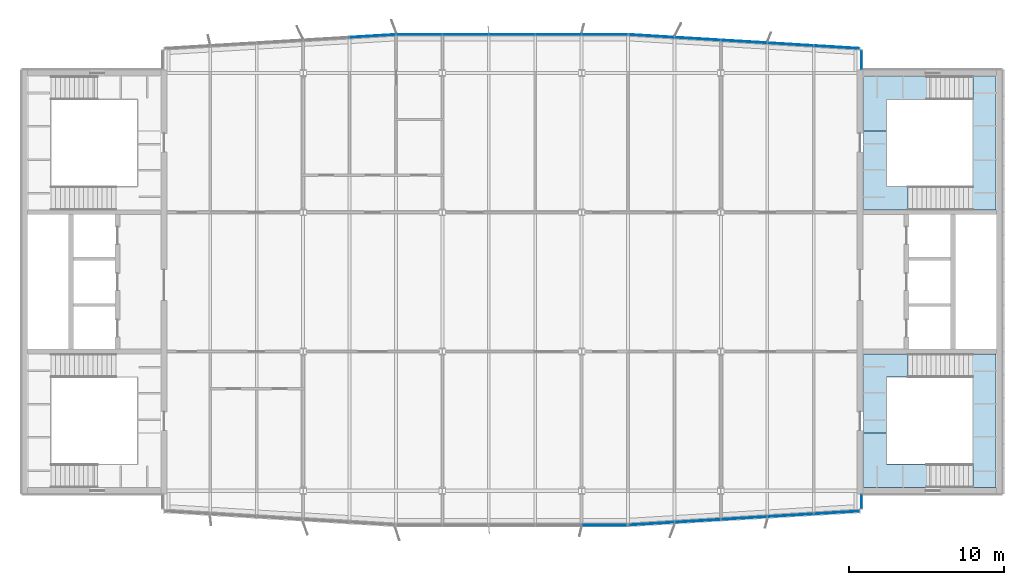
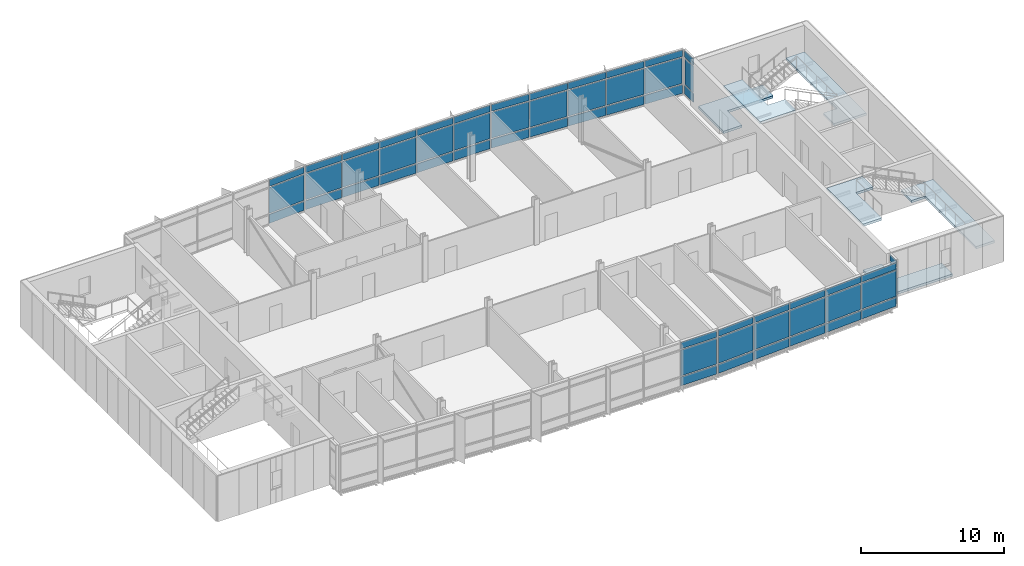
# One storey, part 10 of 17: 57 plates, 6 slabs, 9 elements without a shape of their own.
"""IFC4 building model written with IfcOpenShell, lengths in metres."""

from ifc_helpers import new_model, si_unit, direction, frame, origin, origin_2d, place, context, subcontext, project, spatial, polyline, rectangle, outline, extrude, material, layer, layer_set, type_object, element, aggregate, save


model = new_model("IFC4")

# Units and contexts
model_context = context("Model", 3, precision=1e-05, world=origin(), true_north=direction((0.0, 1.0)))
body_context = subcontext(model_context, "Body", "Model", "MODEL_VIEW")
ifc_project = project(units=[si_unit("LENGTHUNIT", "METRE"), si_unit("AREAUNIT", "SQUARE_METRE"), si_unit("VOLUMEUNIT", "CUBIC_METRE"), si_unit("PLANEANGLEUNIT", "RADIAN"), si_unit("MASSUNIT", "GRAM", prefix="KILO")], contexts=[model_context])

# Site, building, storey
site_placement = place(None, origin())
site = spatial("IfcSite", under=ifc_project, at=site_placement, CompositionType="ELEMENT")
building_placement = place(site_placement, origin())
building = spatial("IfcBuilding", under=site, at=building_placement, Name="Azimuth Sports and Learning Centre", CompositionType="ELEMENT")
storey_placement = place(building_placement, frame((0.0, 0.0, 40.199951171875)))
storey = spatial("IfcBuildingStorey", under=building, at=storey_placement, Name="L08", CompositionType="ELEMENT", Elevation=40.199951171875)

# Stair, slabs
ifc_material_1 = material(Name="Concrete C32/40", Category="concrete")
stair_type = type_object("IfcStairType", Name="Square-well stair core 3900 storey", PredefinedType="THREE_QUARTER_TURN_STAIR", material=ifc_material_1)
stair_1_placement = place(storey_placement, origin())
stair_1 = element("IfcStair", 1, at=stair_1_placement, inside=storey, type_object=stair_type, Name="Stair E1 L08-L09", PredefinedType="THREE_QUARTER_TURN_STAIR")
ifc_material_2 = material(Name="Concrete C32/40", Category="concrete")
ifc_layer_1 = layer(ifc_material_2, 0.199951171875)
ifc_layer_set_1 = layer_set([ifc_layer_1], Name="Concrete C32/40")
slab_type = type_object("IfcSlabType", Name="Concrete stair landing", PredefinedType="LANDING", material=ifc_layer_set_1)
slab_1_placement = place(storey_placement, frame((0.0, 0.0, -0.199951171875)))
slab_1 = element("IfcSlab", 2, at=slab_1_placement, type_object=slab_type, Name="Stair E1 L08 landing 1", PredefinedType="LANDING", context=body_context, shape_type="SweptSolid", body=[
    extrude(outline(polyline([(113.389892578125, 91.7099609375), (109.7099609375, 91.7099609375), (109.7099609375, 93.75), (108.2099609375, 93.75), (108.2099609375, 90.2099609375), (113.389892578125, 90.2099609375), (113.389892578125, 91.7099609375)])), origin(), (0.0, 0.0, 1.0), 0.199951171875),
])
slab_2_placement = place(storey_placement, frame((0.0, 0.0, 1.449951171875)))
slab_2 = element("IfcSlab", 3, at=slab_2_placement, type_object=slab_type, Name="Stair E1 L08 landing 2", PredefinedType="LANDING", context=body_context, shape_type="SweptSolid", body=[
    extrude(outline(polyline([(115.2900390625, 91.7099609375), (115.289306640625, 91.7099609375), (115.289306640625, 90.2099609375), (116.7900390625, 90.2099609375), (116.7900390625, 98.840087890625), (114.18994140625, 98.840087890625), (114.18994140625, 97.340087890625), (115.2900390625, 97.340087890625), (115.2900390625, 91.7099609375)])), origin(), (0.0, 0.0, 1.0), 0.2001953125),
])
slab_3_placement = place(storey_placement, frame((0.0, 0.0, 3.699951171875)))
slab_3 = element("IfcSlab", 4, at=slab_3_placement, type_object=slab_type, Name="Stair E1 L08 landing 3", PredefinedType="LANDING", context=body_context, shape_type="SweptSolid", body=[
    extrude(outline(polyline([(109.7099609375, 97.340087890625), (111.0908203125, 97.340087890625), (111.0908203125, 98.840087890625), (108.2099609375, 98.840087890625), (108.2099609375, 93.75), (109.7099609375, 93.75), (109.7099609375, 97.340087890625)])), origin(), (0.0, 0.0, 1.0), 0.2001953125),
])
aggregate(stair_1, [slab_1, slab_2, slab_3])

stair_2_placement = place(storey_placement, origin())
stair_2 = element("IfcStair", 5, at=stair_2_placement, inside=storey, type_object=stair_type, Name="Stair E2 L08-L09", PredefinedType="THREE_QUARTER_TURN_STAIR")
slab_4_placement = place(storey_placement, frame((0.0, 0.0, -0.199951171875)))
slab_4 = element("IfcSlab", 6, at=slab_4_placement, type_object=slab_type, Name="Stair E2 L08 landing 1", PredefinedType="LANDING", context=body_context, shape_type="SweptSolid", body=[
    extrude(outline(polyline([(108.2099609375, 116.7900390625), (108.2099609375, 113.25), (109.7099609375, 113.25), (109.7099609375, 115.2900390625), (113.389892578125, 115.2900390625), (113.389892578125, 116.7900390625), (108.2099609375, 116.7900390625)])), origin(), (0.0, 0.0, 1.0), 0.199951171875),
])
slab_5_placement = place(storey_placement, frame((0.0, 0.0, 1.449951171875)))
slab_5 = element("IfcSlab", 7, at=slab_5_placement, type_object=slab_type, Name="Stair E2 L08 landing 2", PredefinedType="LANDING", context=body_context, shape_type="SweptSolid", body=[
    extrude(outline(polyline([(115.2900390625, 115.2900390625), (115.2900390625, 109.659912109375), (114.18994140625, 109.659912109375), (114.18994140625, 108.159912109375), (116.7900390625, 108.159912109375), (116.7900390625, 116.7900390625), (115.289306640625, 116.7900390625), (115.289306640625, 115.2900390625), (115.2900390625, 115.2900390625)])), origin(), (0.0, 0.0, 1.0), 0.2001953125),
])
slab_6_placement = place(storey_placement, frame((0.0, 0.0, 3.699951171875)))
slab_6 = element("IfcSlab", 8, at=slab_6_placement, type_object=slab_type, Name="Stair E2 L08 landing 3", PredefinedType="LANDING", context=body_context, shape_type="SweptSolid", body=[
    extrude(outline(polyline([(109.7099609375, 109.659912109375), (109.7099609375, 113.25), (108.2099609375, 113.25), (108.2099609375, 108.159912109375), (111.0908203125, 108.159912109375), (111.0908203125, 109.659912109375), (109.7099609375, 109.659912109375)])), origin(), (0.0, 0.0, 1.0), 0.2001953125),
])
aggregate(stair_2, [slab_4, slab_5, slab_6])

# Curtain wall, plates
ifc_material_3 = material(Name="Aluminium and glass", Category="aluminium")
curtain_wall_type_1 = type_object("IfcCurtainWallType", Name="Curtain wall tower south 240", PredefinedType="NOTDEFINED", material=ifc_material_3)
curtain_wall_1_placement = place(storey_placement, origin())
curtain_wall_1 = element("IfcCurtainWall", 9, at=curtain_wall_1_placement, inside=storey, type_object=curtain_wall_type_1, Name="Curtain wall CW08-003", PredefinedType="NOTDEFINED")
ifc_material_4 = material(Name="Insulated aluminium panel", Category="aluminium")
ifc_layer_2 = layer(ifc_material_4, 0.050048828125)
ifc_layer_set_2 = layer_set([ifc_layer_2], Name="Insulated aluminium panel")
plate_type_1 = type_object("IfcPlateType", Name="Spandrel panel 50 mm", PredefinedType="CURTAIN_PANEL", material=ifc_layer_set_2)
plate_1_placement = place(storey_placement, frame((91.482421875, 87.780029296875, 0.10009765625), z_axis=(0.0, 0.0, 1.0), x_axis=(1.0, 0.0, 0.0)))
plate_1 = element("IfcPlate", 10, at=plate_1_placement, type_object=plate_type_1, Name="CW08-003 panel 5.1", PredefinedType="CURTAIN_PANEL", context=body_context, shape_type="SweptSolid", body=[
    extrude(rectangle(XDim=2.89501953125, YDim=0.050048828125, at=origin_2d()), origin(), (0.0, 0.0, 1.0), 0.75),
])
plate_2_placement = place(storey_placement, frame((91.482421875, 87.780029296875, 3.25), z_axis=(0.0, 0.0, 1.0), x_axis=(1.0, 0.0, 0.0)))
plate_2 = element("IfcPlate", 11, at=plate_2_placement, type_object=plate_type_1, Name="CW08-003 panel 5.3", PredefinedType="CURTAIN_PANEL", context=body_context, shape_type="SweptSolid", body=[
    extrude(rectangle(XDim=2.89501953125, YDim=0.050048828125, at=origin_2d()), origin(), (0.0, 0.0, 1.0), 0.550048828125),
])

curtain_wall_2_placement = place(storey_placement, origin())
curtain_wall_2 = element("IfcCurtainWall", 12, at=curtain_wall_2_placement, inside=storey, type_object=curtain_wall_type_1, Name="Curtain wall CW08-004", PredefinedType="NOTDEFINED")
plate_3_placement = place(storey_placement, frame((94.52099609375, 87.87109375, 0.10009765625), z_axis=(0.0, 0.0, 1.0), x_axis=(0.998204863401, 0.059891991812, 0.0)))
plate_3 = element("IfcPlate", 13, at=plate_3_placement, type_object=plate_type_1, Name="CW08-004 panel 1.1", PredefinedType="CURTAIN_PANEL", context=body_context, shape_type="SweptSolid", body=[
    extrude(rectangle(XDim=2.90771484375, YDim=0.050048828125, at=origin_2d()), origin(), (0.0, 0.0, 1.0), 0.75),
])
plate_4_placement = place(storey_placement, frame((94.52099609375, 87.87109375, 3.25), z_axis=(0.0, 0.0, 1.0), x_axis=(0.998204863401, 0.059891991812, 0.0)))
plate_4 = element("IfcPlate", 14, at=plate_4_placement, type_object=plate_type_1, Name="CW08-004 panel 1.3", PredefinedType="CURTAIN_PANEL", context=body_context, shape_type="SweptSolid", body=[
    extrude(rectangle(XDim=2.90771484375, YDim=0.050048828125, at=origin_2d()), origin(), (0.0, 0.0, 1.0), 0.550048828125),
])
plate_5_placement = place(storey_placement, frame((97.507080078125, 88.05029296875, 0.10009765625), z_axis=(0.0, 0.0, 1.0), x_axis=(0.998204863401, 0.059891991812, 0.0)))
plate_5 = element("IfcPlate", 15, at=plate_5_placement, type_object=plate_type_1, Name="CW08-004 panel 2.1", PredefinedType="CURTAIN_PANEL", context=body_context, shape_type="SweptSolid", body=[
    extrude(rectangle(XDim=2.935302734375, YDim=0.050048828125, at=origin_2d()), origin(), (0.0, 0.0, 1.0), 0.75),
])
plate_6_placement = place(storey_placement, frame((97.507080078125, 88.05029296875, 3.25), z_axis=(0.0, 0.0, 1.0), x_axis=(0.998204863401, 0.059891991812, 0.0)))
plate_6 = element("IfcPlate", 16, at=plate_6_placement, type_object=plate_type_1, Name="CW08-004 panel 2.3", PredefinedType="CURTAIN_PANEL", context=body_context, shape_type="SweptSolid", body=[
    extrude(rectangle(XDim=2.935302734375, YDim=0.050048828125, at=origin_2d()), origin(), (0.0, 0.0, 1.0), 0.550048828125),
])
plate_7_placement = place(storey_placement, frame((100.507080078125, 88.230224609375, 0.10009765625), z_axis=(0.0, 0.0, 1.0), x_axis=(0.998204863401, 0.059891991812, 0.0)))
plate_7 = element("IfcPlate", 17, at=plate_7_placement, type_object=plate_type_1, Name="CW08-004 panel 3.1", PredefinedType="CURTAIN_PANEL", context=body_context, shape_type="SweptSolid", body=[
    extrude(rectangle(XDim=2.935302734375, YDim=0.050048828125, at=origin_2d()), origin(), (0.0, 0.0, 1.0), 0.75),
])
plate_8_placement = place(storey_placement, frame((100.507080078125, 88.230224609375, 3.25), z_axis=(0.0, 0.0, 1.0), x_axis=(0.998204863401, 0.059891991812, 0.0)))
plate_8 = element("IfcPlate", 18, at=plate_8_placement, type_object=plate_type_1, Name="CW08-004 panel 3.3", PredefinedType="CURTAIN_PANEL", context=body_context, shape_type="SweptSolid", body=[
    extrude(rectangle(XDim=2.935302734375, YDim=0.050048828125, at=origin_2d()), origin(), (0.0, 0.0, 1.0), 0.550048828125),
])
plate_9_placement = place(storey_placement, frame((103.507080078125, 88.41015625, 0.10009765625), z_axis=(0.0, 0.0, 1.0), x_axis=(0.998204863401, 0.059891991812, 0.0)))
plate_9 = element("IfcPlate", 19, at=plate_9_placement, type_object=plate_type_1, Name="CW08-004 panel 4.1", PredefinedType="CURTAIN_PANEL", context=body_context, shape_type="SweptSolid", body=[
    extrude(rectangle(XDim=2.935302734375, YDim=0.050048828125, at=origin_2d()), origin(), (0.0, 0.0, 1.0), 0.75),
])
plate_10_placement = place(storey_placement, frame((103.507080078125, 88.41015625, 3.25), z_axis=(0.0, 0.0, 1.0), x_axis=(0.998204863401, 0.059891991812, 0.0)))
plate_10 = element("IfcPlate", 20, at=plate_10_placement, type_object=plate_type_1, Name="CW08-004 panel 4.3", PredefinedType="CURTAIN_PANEL", context=body_context, shape_type="SweptSolid", body=[
    extrude(rectangle(XDim=2.935302734375, YDim=0.050048828125, at=origin_2d()), origin(), (0.0, 0.0, 1.0), 0.550048828125),
])
plate_11_placement = place(storey_placement, frame((106.48974609375, 88.589111328125, 0.10009765625), z_axis=(0.0, 0.0, 1.0), x_axis=(0.998204863401, 0.059891991812, 0.0)))
plate_11 = element("IfcPlate", 21, at=plate_11_placement, type_object=plate_type_1, Name="CW08-004 panel 5.1", PredefinedType="CURTAIN_PANEL", context=body_context, shape_type="SweptSolid", body=[
    extrude(rectangle(XDim=2.900390625, YDim=0.050048828125, at=origin_2d()), origin(), (0.0, 0.0, 1.0), 0.75),
])
plate_12_placement = place(storey_placement, frame((106.48974609375, 88.589111328125, 3.25), z_axis=(0.0, 0.0, 1.0), x_axis=(0.998204863401, 0.059891991812, 0.0)))
plate_12 = element("IfcPlate", 22, at=plate_12_placement, type_object=plate_type_1, Name="CW08-004 panel 5.3", PredefinedType="CURTAIN_PANEL", context=body_context, shape_type="SweptSolid", body=[
    extrude(rectangle(XDim=2.900390625, YDim=0.050048828125, at=origin_2d()), origin(), (0.0, 0.0, 1.0), 0.550048828125),
])

ifc_material_5 = material(Name="Aluminium and glass", Category="aluminium")
curtain_wall_type_2 = type_object("IfcCurtainWallType", Name="Curtain wall tower return 180", PredefinedType="NOTDEFINED", material=ifc_material_5)
curtain_wall_3_placement = place(storey_placement, origin())
curtain_wall_3 = element("IfcCurtainWall", 23, at=curtain_wall_3_placement, inside=storey, type_object=curtain_wall_type_2, Name="Curtain wall CW08-005", PredefinedType="NOTDEFINED")
plate_13_placement = place(storey_placement, frame((108.090087890625, 89.300048828125, 0.10009765625), z_axis=(0.0, 0.0, 1.0), x_axis=(0.0, 1.0, 0.0)))
plate_13 = element("IfcPlate", 24, at=plate_13_placement, type_object=plate_type_1, Name="CW08-005 panel 1.1", PredefinedType="CURTAIN_PANEL", context=body_context, shape_type="SweptSolid", body=[
    extrude(rectangle(XDim=0.8798828125, YDim=0.050048828125, at=origin_2d()), origin(), (0.0, 0.0, 1.0), 0.75),
])
plate_14_placement = place(storey_placement, frame((108.090087890625, 89.300048828125, 3.25), z_axis=(0.0, 0.0, 1.0), x_axis=(0.0, 1.0, 0.0)))
plate_14 = element("IfcPlate", 25, at=plate_14_placement, type_object=plate_type_1, Name="CW08-005 panel 1.3", PredefinedType="CURTAIN_PANEL", context=body_context, shape_type="SweptSolid", body=[
    extrude(rectangle(XDim=0.8798828125, YDim=0.050048828125, at=origin_2d()), origin(), (0.0, 0.0, 1.0), 0.550048828125),
])

curtain_wall_4_placement = place(storey_placement, origin())
curtain_wall_4 = element("IfcCurtainWall", 26, at=curtain_wall_4_placement, inside=storey, type_object=curtain_wall_type_2, Name="Curtain wall CW08-006", PredefinedType="NOTDEFINED")
plate_15_placement = place(storey_placement, frame((108.090087890625, 117.85009765625, 0.10009765625), z_axis=(0.0, 0.0, 1.0), x_axis=(0.0, 1.0, 0.0)))
plate_15 = element("IfcPlate", 27, at=plate_15_placement, type_object=plate_type_1, Name="CW08-006 panel 1.1", PredefinedType="CURTAIN_PANEL", context=body_context, shape_type="SweptSolid", body=[
    extrude(rectangle(XDim=1.179931640625, YDim=0.050048828125, at=origin_2d()), origin(), (0.0, 0.0, 1.0), 0.75),
])
plate_16_placement = place(storey_placement, frame((108.090087890625, 117.85009765625, 3.25), z_axis=(0.0, 0.0, 1.0), x_axis=(0.0, 1.0, 0.0)))
plate_16 = element("IfcPlate", 28, at=plate_16_placement, type_object=plate_type_1, Name="CW08-006 panel 1.3", PredefinedType="CURTAIN_PANEL", context=body_context, shape_type="SweptSolid", body=[
    extrude(rectangle(XDim=1.179931640625, YDim=0.050048828125, at=origin_2d()), origin(), (0.0, 0.0, 1.0), 0.550048828125),
])

ifc_material_6 = material(Name="Aluminium and glass", Category="aluminium")
curtain_wall_type_3 = type_object("IfcCurtainWallType", Name="Curtain wall tower north 180", PredefinedType="NOTDEFINED", material=ifc_material_6)
curtain_wall_5_placement = place(storey_placement, origin())
curtain_wall_5 = element("IfcCurtainWall", 29, at=curtain_wall_5_placement, inside=storey, type_object=curtain_wall_type_3, Name="Curtain wall CW08-007", PredefinedType="NOTDEFINED")
plate_17_placement = place(storey_placement, frame((106.490478515625, 118.6806640625, 0.10009765625), z_axis=(0.0, 0.0, 1.0), x_axis=(-0.998204863401, 0.059891991812, 0.0)))
plate_17 = element("IfcPlate", 30, at=plate_17_placement, type_object=plate_type_1, Name="CW08-007 panel 1.1", PredefinedType="CURTAIN_PANEL", context=body_context, shape_type="SweptSolid", body=[
    extrude(rectangle(XDim=2.915283203125, YDim=0.050048828125, at=origin_2d()), origin(), (0.0, 0.0, 1.0), 0.75),
])
plate_18_placement = place(storey_placement, frame((106.490478515625, 118.6806640625, 3.25), z_axis=(0.0, 0.0, 1.0), x_axis=(-0.998204863401, 0.059891991812, 0.0)))
plate_18 = element("IfcPlate", 31, at=plate_18_placement, type_object=plate_type_1, Name="CW08-007 panel 1.3", PredefinedType="CURTAIN_PANEL", context=body_context, shape_type="SweptSolid", body=[
    extrude(rectangle(XDim=2.915283203125, YDim=0.050048828125, at=origin_2d()), origin(), (0.0, 0.0, 1.0), 0.550048828125),
])
plate_19_placement = place(storey_placement, frame((103.50537109375, 118.85986328125, 0.10009765625), z_axis=(0.0, 0.0, 1.0), x_axis=(-0.998204863401, 0.059891991812, 0.0)))
plate_19 = element("IfcPlate", 32, at=plate_19_placement, type_object=plate_type_1, Name="CW08-007 panel 2.1", PredefinedType="CURTAIN_PANEL", context=body_context, shape_type="SweptSolid", body=[
    extrude(rectangle(XDim=2.9453125, YDim=0.050048828125, at=origin_2d()), origin(), (0.0, 0.0, 1.0), 0.75),
])
plate_20_placement = place(storey_placement, frame((103.50537109375, 118.85986328125, 3.25), z_axis=(0.0, 0.0, 1.0), x_axis=(-0.998204863401, 0.059891991812, 0.0)))
plate_20 = element("IfcPlate", 33, at=plate_20_placement, type_object=plate_type_1, Name="CW08-007 panel 2.3", PredefinedType="CURTAIN_PANEL", context=body_context, shape_type="SweptSolid", body=[
    extrude(rectangle(XDim=2.9453125, YDim=0.050048828125, at=origin_2d()), origin(), (0.0, 0.0, 1.0), 0.550048828125),
])
plate_21_placement = place(storey_placement, frame((100.50537109375, 119.039794921875, 0.10009765625), z_axis=(0.0, 0.0, 1.0), x_axis=(-0.998204863401, 0.059891991812, 0.0)))
plate_21 = element("IfcPlate", 34, at=plate_21_placement, type_object=plate_type_1, Name="CW08-007 panel 3.1", PredefinedType="CURTAIN_PANEL", context=body_context, shape_type="SweptSolid", body=[
    extrude(rectangle(XDim=2.9453125, YDim=0.050048828125, at=origin_2d()), origin(), (0.0, 0.0, 1.0), 0.75),
])
plate_22_placement = place(storey_placement, frame((100.50537109375, 119.039794921875, 3.25), z_axis=(0.0, 0.0, 1.0), x_axis=(-0.998204863401, 0.059891991812, 0.0)))
plate_22 = element("IfcPlate", 35, at=plate_22_placement, type_object=plate_type_1, Name="CW08-007 panel 3.3", PredefinedType="CURTAIN_PANEL", context=body_context, shape_type="SweptSolid", body=[
    extrude(rectangle(XDim=2.9453125, YDim=0.050048828125, at=origin_2d()), origin(), (0.0, 0.0, 1.0), 0.550048828125),
])
plate_23_placement = place(storey_placement, frame((97.50537109375, 119.2197265625, 0.10009765625), z_axis=(0.0, 0.0, 1.0), x_axis=(-0.998204863401, 0.059891991812, 0.0)))
plate_23 = element("IfcPlate", 36, at=plate_23_placement, type_object=plate_type_1, Name="CW08-007 panel 4.1", PredefinedType="CURTAIN_PANEL", context=body_context, shape_type="SweptSolid", body=[
    extrude(rectangle(XDim=2.9453125, YDim=0.050048828125, at=origin_2d()), origin(), (0.0, 0.0, 1.0), 0.75),
])
plate_24_placement = place(storey_placement, frame((97.50537109375, 119.2197265625, 3.25), z_axis=(0.0, 0.0, 1.0), x_axis=(-0.998204863401, 0.059891991812, 0.0)))
plate_24 = element("IfcPlate", 37, at=plate_24_placement, type_object=plate_type_1, Name="CW08-007 panel 4.3", PredefinedType="CURTAIN_PANEL", context=body_context, shape_type="SweptSolid", body=[
    extrude(rectangle(XDim=2.9453125, YDim=0.050048828125, at=origin_2d()), origin(), (0.0, 0.0, 1.0), 0.550048828125),
])
plate_25_placement = place(storey_placement, frame((94.520263671875, 119.39892578125, 0.10009765625), z_axis=(0.0, 0.0, 1.0), x_axis=(-0.998204863401, 0.059891991812, 0.0)))
plate_25 = element("IfcPlate", 38, at=plate_25_placement, type_object=plate_type_1, Name="CW08-007 panel 5.1", PredefinedType="CURTAIN_PANEL", context=body_context, shape_type="SweptSolid", body=[
    extrude(rectangle(XDim=2.915283203125, YDim=0.050048828125, at=origin_2d()), origin(), (0.0, 0.0, 1.0), 0.75),
])
plate_26_placement = place(storey_placement, frame((94.520263671875, 119.39892578125, 3.25), z_axis=(0.0, 0.0, 1.0), x_axis=(-0.998204863401, 0.059891991812, 0.0)))
plate_26 = element("IfcPlate", 39, at=plate_26_placement, type_object=plate_type_1, Name="CW08-007 panel 5.3", PredefinedType="CURTAIN_PANEL", context=body_context, shape_type="SweptSolid", body=[
    extrude(rectangle(XDim=2.915283203125, YDim=0.050048828125, at=origin_2d()), origin(), (0.0, 0.0, 1.0), 0.550048828125),
])

curtain_wall_6_placement = place(storey_placement, origin())
curtain_wall_6 = element("IfcCurtainWall", 40, at=curtain_wall_6_placement, inside=storey, type_object=curtain_wall_type_3, Name="Curtain wall CW08-008", PredefinedType="NOTDEFINED")
plate_27_placement = place(storey_placement, frame((91.48779296875, 119.489990234375, 0.10009765625), z_axis=(0.0, 0.0, 1.0), x_axis=(-1.0, 0.0, 0.0)))
plate_27 = element("IfcPlate", 41, at=plate_27_placement, type_object=plate_type_1, Name="CW08-008 panel 1.1", PredefinedType="CURTAIN_PANEL", context=body_context, shape_type="SweptSolid", body=[
    extrude(rectangle(XDim=2.915283203125, YDim=0.050048828125, at=origin_2d()), origin(), (0.0, 0.0, 1.0), 0.75),
])
plate_28_placement = place(storey_placement, frame((91.48779296875, 119.489990234375, 3.25), z_axis=(0.0, 0.0, 1.0), x_axis=(-1.0, 0.0, 0.0)))
plate_28 = element("IfcPlate", 42, at=plate_28_placement, type_object=plate_type_1, Name="CW08-008 panel 1.3", PredefinedType="CURTAIN_PANEL", context=body_context, shape_type="SweptSolid", body=[
    extrude(rectangle(XDim=2.915283203125, YDim=0.050048828125, at=origin_2d()), origin(), (0.0, 0.0, 1.0), 0.550048828125),
])
plate_29_placement = place(storey_placement, frame((88.5, 119.489990234375, 0.10009765625), z_axis=(0.0, 0.0, 1.0), x_axis=(-1.0, 0.0, 0.0)))
plate_29 = element("IfcPlate", 43, at=plate_29_placement, type_object=plate_type_1, Name="CW08-008 panel 2.1", PredefinedType="CURTAIN_PANEL", context=body_context, shape_type="SweptSolid", body=[
    extrude(rectangle(XDim=2.93994140625, YDim=0.050048828125, at=origin_2d()), origin(), (0.0, 0.0, 1.0), 0.75),
])
plate_30_placement = place(storey_placement, frame((88.5, 119.489990234375, 3.25), z_axis=(0.0, 0.0, 1.0), x_axis=(-1.0, 0.0, 0.0)))
plate_30 = element("IfcPlate", 44, at=plate_30_placement, type_object=plate_type_1, Name="CW08-008 panel 2.3", PredefinedType="CURTAIN_PANEL", context=body_context, shape_type="SweptSolid", body=[
    extrude(rectangle(XDim=2.93994140625, YDim=0.050048828125, at=origin_2d()), origin(), (0.0, 0.0, 1.0), 0.550048828125),
])
plate_31_placement = place(storey_placement, frame((85.5, 119.489990234375, 0.10009765625), z_axis=(0.0, 0.0, 1.0), x_axis=(-1.0, 0.0, 0.0)))
plate_31 = element("IfcPlate", 45, at=plate_31_placement, type_object=plate_type_1, Name="CW08-008 panel 3.1", PredefinedType="CURTAIN_PANEL", context=body_context, shape_type="SweptSolid", body=[
    extrude(rectangle(XDim=2.93994140625, YDim=0.050048828125, at=origin_2d()), origin(), (0.0, 0.0, 1.0), 0.75),
])
plate_32_placement = place(storey_placement, frame((85.5, 119.489990234375, 3.25), z_axis=(0.0, 0.0, 1.0), x_axis=(-1.0, 0.0, 0.0)))
plate_32 = element("IfcPlate", 46, at=plate_32_placement, type_object=plate_type_1, Name="CW08-008 panel 3.3", PredefinedType="CURTAIN_PANEL", context=body_context, shape_type="SweptSolid", body=[
    extrude(rectangle(XDim=2.93994140625, YDim=0.050048828125, at=origin_2d()), origin(), (0.0, 0.0, 1.0), 0.550048828125),
])
plate_33_placement = place(storey_placement, frame((82.5, 119.489990234375, 0.10009765625), z_axis=(0.0, 0.0, 1.0), x_axis=(-1.0, 0.0, 0.0)))
plate_33 = element("IfcPlate", 47, at=plate_33_placement, type_object=plate_type_1, Name="CW08-008 panel 4.1", PredefinedType="CURTAIN_PANEL", context=body_context, shape_type="SweptSolid", body=[
    extrude(rectangle(XDim=2.93994140625, YDim=0.050048828125, at=origin_2d()), origin(), (0.0, 0.0, 1.0), 0.75),
])
plate_34_placement = place(storey_placement, frame((82.5, 119.489990234375, 3.25), z_axis=(0.0, 0.0, 1.0), x_axis=(-1.0, 0.0, 0.0)))
plate_34 = element("IfcPlate", 48, at=plate_34_placement, type_object=plate_type_1, Name="CW08-008 panel 4.3", PredefinedType="CURTAIN_PANEL", context=body_context, shape_type="SweptSolid", body=[
    extrude(rectangle(XDim=2.93994140625, YDim=0.050048828125, at=origin_2d()), origin(), (0.0, 0.0, 1.0), 0.550048828125),
])
plate_35_placement = place(storey_placement, frame((79.514892578125, 119.489990234375, 0.10009765625), z_axis=(0.0, 0.0, 1.0), x_axis=(-1.0, 0.0, 0.0)))
plate_35 = element("IfcPlate", 49, at=plate_35_placement, type_object=plate_type_1, Name="CW08-008 panel 5.1", PredefinedType="CURTAIN_PANEL", context=body_context, shape_type="SweptSolid", body=[
    extrude(rectangle(XDim=2.909912109375, YDim=0.050048828125, at=origin_2d()), origin(), (0.0, 0.0, 1.0), 0.75),
])
plate_36_placement = place(storey_placement, frame((79.514892578125, 119.489990234375, 3.25), z_axis=(0.0, 0.0, 1.0), x_axis=(-1.0, 0.0, 0.0)))
plate_36 = element("IfcPlate", 50, at=plate_36_placement, type_object=plate_type_1, Name="CW08-008 panel 5.3", PredefinedType="CURTAIN_PANEL", context=body_context, shape_type="SweptSolid", body=[
    extrude(rectangle(XDim=2.909912109375, YDim=0.050048828125, at=origin_2d()), origin(), (0.0, 0.0, 1.0), 0.550048828125),
])

curtain_wall_7_placement = place(storey_placement, origin())
curtain_wall_7 = element("IfcCurtainWall", 51, at=curtain_wall_7_placement, inside=storey, type_object=curtain_wall_type_3, Name="Curtain wall CW08-009", PredefinedType="NOTDEFINED")
plate_37_placement = place(storey_placement, frame((76.482421875, 119.399169921875, 0.10009765625), z_axis=(0.0, 0.0, 1.0), x_axis=(-0.998204863401, -0.059891991812, 0.0)))
plate_37 = element("IfcPlate", 52, at=plate_37_placement, type_object=plate_type_1, Name="CW08-009 panel 1.1", PredefinedType="CURTAIN_PANEL", context=body_context, shape_type="SweptSolid", body=[
    extrude(rectangle(XDim=2.9208984375, YDim=0.050048828125, at=origin_2d()), origin(), (0.0, 0.0, 1.0), 0.75),
])
plate_38_placement = place(storey_placement, frame((76.482421875, 119.399169921875, 3.25), z_axis=(0.0, 0.0, 1.0), x_axis=(-0.998204863401, -0.059891991812, 0.0)))
plate_38 = element("IfcPlate", 53, at=plate_38_placement, type_object=plate_type_1, Name="CW08-009 panel 1.3", PredefinedType="CURTAIN_PANEL", context=body_context, shape_type="SweptSolid", body=[
    extrude(rectangle(XDim=2.9208984375, YDim=0.050048828125, at=origin_2d()), origin(), (0.0, 0.0, 1.0), 0.550048828125),
])

# Plate
ifc_material_7 = material(Name="Glass", Category="glass")
ifc_layer_3 = layer(ifc_material_7, 0.031982421875)
ifc_layer_set_3 = layer_set([ifc_layer_3], Name="Glass")
plate_type_2 = type_object("IfcPlateType", Name="Vision glass 32 mm", PredefinedType="CURTAIN_PANEL", material=ifc_layer_set_3)
plate_39_placement = place(storey_placement, frame((91.482421875, 87.780029296875, 0.9501953125), z_axis=(0.0, 0.0, 1.0), x_axis=(1.0, 0.0, 0.0)))
plate_39 = element("IfcPlate", 54, at=plate_39_placement, type_object=plate_type_2, Name="CW08-003 panel 5.2", PredefinedType="CURTAIN_PANEL", context=body_context, shape_type="SweptSolid", body=[
    extrude(rectangle(XDim=2.89501953125, YDim=0.031982421875, at=origin_2d()), origin(), (0.0, 0.0, 1.0), 2.199951171875),
])

aggregate(curtain_wall_1, [plate_1, plate_39, plate_2])

plate_40_placement = place(storey_placement, frame((94.52099609375, 87.87109375, 0.9501953125), z_axis=(0.0, 0.0, 1.0), x_axis=(0.998204863401, 0.059891991812, 0.0)))
plate_40 = element("IfcPlate", 55, at=plate_40_placement, type_object=plate_type_2, Name="CW08-004 panel 1.2", PredefinedType="CURTAIN_PANEL", context=body_context, shape_type="SweptSolid", body=[
    extrude(rectangle(XDim=2.90771484375, YDim=0.031982421875, at=origin_2d()), origin(), (0.0, 0.0, 1.0), 2.199951171875),
])

plate_41_placement = place(storey_placement, frame((97.507080078125, 88.05029296875, 0.9501953125), z_axis=(0.0, 0.0, 1.0), x_axis=(0.998204863401, 0.059891991812, 0.0)))
plate_41 = element("IfcPlate", 56, at=plate_41_placement, type_object=plate_type_2, Name="CW08-004 panel 2.2", PredefinedType="CURTAIN_PANEL", context=body_context, shape_type="SweptSolid", body=[
    extrude(rectangle(XDim=2.935302734375, YDim=0.031982421875, at=origin_2d()), origin(), (0.0, 0.0, 1.0), 2.199951171875),
])

plate_42_placement = place(storey_placement, frame((100.507080078125, 88.230224609375, 0.9501953125), z_axis=(0.0, 0.0, 1.0), x_axis=(0.998204863401, 0.059891991812, 0.0)))
plate_42 = element("IfcPlate", 57, at=plate_42_placement, type_object=plate_type_2, Name="CW08-004 panel 3.2", PredefinedType="CURTAIN_PANEL", context=body_context, shape_type="SweptSolid", body=[
    extrude(rectangle(XDim=2.935302734375, YDim=0.031982421875, at=origin_2d()), origin(), (0.0, 0.0, 1.0), 2.199951171875),
])

plate_43_placement = place(storey_placement, frame((103.507080078125, 88.41015625, 0.9501953125), z_axis=(0.0, 0.0, 1.0), x_axis=(0.998204863401, 0.059891991812, 0.0)))
plate_43 = element("IfcPlate", 58, at=plate_43_placement, type_object=plate_type_2, Name="CW08-004 panel 4.2", PredefinedType="CURTAIN_PANEL", context=body_context, shape_type="SweptSolid", body=[
    extrude(rectangle(XDim=2.935302734375, YDim=0.031982421875, at=origin_2d()), origin(), (0.0, 0.0, 1.0), 2.199951171875),
])

plate_44_placement = place(storey_placement, frame((106.48974609375, 88.589111328125, 0.9501953125), z_axis=(0.0, 0.0, 1.0), x_axis=(0.998204863401, 0.059891991812, 0.0)))
plate_44 = element("IfcPlate", 59, at=plate_44_placement, type_object=plate_type_2, Name="CW08-004 panel 5.2", PredefinedType="CURTAIN_PANEL", context=body_context, shape_type="SweptSolid", body=[
    extrude(rectangle(XDim=2.900390625, YDim=0.031982421875, at=origin_2d()), origin(), (0.0, 0.0, 1.0), 2.199951171875),
])

aggregate(curtain_wall_2, [plate_3, plate_40, plate_4, plate_5, plate_41, plate_6, plate_7, plate_42, plate_8, plate_9, plate_43, plate_10, plate_11, plate_44, plate_12])

plate_45_placement = place(storey_placement, frame((108.090087890625, 89.300048828125, 0.9501953125), z_axis=(0.0, 0.0, 1.0), x_axis=(0.0, 1.0, 0.0)))
plate_45 = element("IfcPlate", 60, at=plate_45_placement, type_object=plate_type_2, Name="CW08-005 panel 1.2", PredefinedType="CURTAIN_PANEL", context=body_context, shape_type="SweptSolid", body=[
    extrude(rectangle(XDim=0.8798828125, YDim=0.031982421875, at=origin_2d()), origin(), (0.0, 0.0, 1.0), 2.199951171875),
])

aggregate(curtain_wall_3, [plate_13, plate_45, plate_14])

plate_46_placement = place(storey_placement, frame((108.090087890625, 117.85009765625, 0.9501953125), z_axis=(0.0, 0.0, 1.0), x_axis=(0.0, 1.0, 0.0)))
plate_46 = element("IfcPlate", 61, at=plate_46_placement, type_object=plate_type_2, Name="CW08-006 panel 1.2", PredefinedType="CURTAIN_PANEL", context=body_context, shape_type="SweptSolid", body=[
    extrude(rectangle(XDim=1.179931640625, YDim=0.031982421875, at=origin_2d()), origin(), (0.0, 0.0, 1.0), 2.199951171875),
])

aggregate(curtain_wall_4, [plate_15, plate_46, plate_16])

plate_47_placement = place(storey_placement, frame((106.490478515625, 118.6806640625, 0.9501953125), z_axis=(0.0, 0.0, 1.0), x_axis=(-0.998204863401, 0.059891991812, 0.0)))
plate_47 = element("IfcPlate", 62, at=plate_47_placement, type_object=plate_type_2, Name="CW08-007 panel 1.2", PredefinedType="CURTAIN_PANEL", context=body_context, shape_type="SweptSolid", body=[
    extrude(rectangle(XDim=2.915283203125, YDim=0.031982421875, at=origin_2d()), origin(), (0.0, 0.0, 1.0), 2.199951171875),
])

plate_48_placement = place(storey_placement, frame((103.50537109375, 118.85986328125, 0.9501953125), z_axis=(0.0, 0.0, 1.0), x_axis=(-0.998204863401, 0.059891991812, 0.0)))
plate_48 = element("IfcPlate", 63, at=plate_48_placement, type_object=plate_type_2, Name="CW08-007 panel 2.2", PredefinedType="CURTAIN_PANEL", context=body_context, shape_type="SweptSolid", body=[
    extrude(rectangle(XDim=2.9453125, YDim=0.031982421875, at=origin_2d()), origin(), (0.0, 0.0, 1.0), 2.199951171875),
])

plate_49_placement = place(storey_placement, frame((100.50537109375, 119.039794921875, 0.9501953125), z_axis=(0.0, 0.0, 1.0), x_axis=(-0.998204863401, 0.059891991812, 0.0)))
plate_49 = element("IfcPlate", 64, at=plate_49_placement, type_object=plate_type_2, Name="CW08-007 panel 3.2", PredefinedType="CURTAIN_PANEL", context=body_context, shape_type="SweptSolid", body=[
    extrude(rectangle(XDim=2.9453125, YDim=0.031982421875, at=origin_2d()), origin(), (0.0, 0.0, 1.0), 2.199951171875),
])

plate_50_placement = place(storey_placement, frame((97.50537109375, 119.2197265625, 0.9501953125), z_axis=(0.0, 0.0, 1.0), x_axis=(-0.998204863401, 0.059891991812, 0.0)))
plate_50 = element("IfcPlate", 65, at=plate_50_placement, type_object=plate_type_2, Name="CW08-007 panel 4.2", PredefinedType="CURTAIN_PANEL", context=body_context, shape_type="SweptSolid", body=[
    extrude(rectangle(XDim=2.9453125, YDim=0.031982421875, at=origin_2d()), origin(), (0.0, 0.0, 1.0), 2.199951171875),
])

plate_51_placement = place(storey_placement, frame((94.520263671875, 119.39892578125, 0.9501953125), z_axis=(0.0, 0.0, 1.0), x_axis=(-0.998204863401, 0.059891991812, 0.0)))
plate_51 = element("IfcPlate", 66, at=plate_51_placement, type_object=plate_type_2, Name="CW08-007 panel 5.2", PredefinedType="CURTAIN_PANEL", context=body_context, shape_type="SweptSolid", body=[
    extrude(rectangle(XDim=2.915283203125, YDim=0.031982421875, at=origin_2d()), origin(), (0.0, 0.0, 1.0), 2.199951171875),
])

aggregate(curtain_wall_5, [plate_17, plate_47, plate_18, plate_19, plate_48, plate_20, plate_21, plate_49, plate_22, plate_23, plate_50, plate_24, plate_25, plate_51, plate_26])

plate_52_placement = place(storey_placement, frame((91.48779296875, 119.489990234375, 0.9501953125), z_axis=(0.0, 0.0, 1.0), x_axis=(-1.0, 0.0, 0.0)))
plate_52 = element("IfcPlate", 67, at=plate_52_placement, type_object=plate_type_2, Name="CW08-008 panel 1.2", PredefinedType="CURTAIN_PANEL", context=body_context, shape_type="SweptSolid", body=[
    extrude(rectangle(XDim=2.915283203125, YDim=0.031982421875, at=origin_2d()), origin(), (0.0, 0.0, 1.0), 2.199951171875),
])

plate_53_placement = place(storey_placement, frame((88.5, 119.489990234375, 0.9501953125), z_axis=(0.0, 0.0, 1.0), x_axis=(-1.0, 0.0, 0.0)))
plate_53 = element("IfcPlate", 68, at=plate_53_placement, type_object=plate_type_2, Name="CW08-008 panel 2.2", PredefinedType="CURTAIN_PANEL", context=body_context, shape_type="SweptSolid", body=[
    extrude(rectangle(XDim=2.93994140625, YDim=0.031982421875, at=origin_2d()), origin(), (0.0, 0.0, 1.0), 2.199951171875),
])

plate_54_placement = place(storey_placement, frame((85.5, 119.489990234375, 0.9501953125), z_axis=(0.0, 0.0, 1.0), x_axis=(-1.0, 0.0, 0.0)))
plate_54 = element("IfcPlate", 69, at=plate_54_placement, type_object=plate_type_2, Name="CW08-008 panel 3.2", PredefinedType="CURTAIN_PANEL", context=body_context, shape_type="SweptSolid", body=[
    extrude(rectangle(XDim=2.93994140625, YDim=0.031982421875, at=origin_2d()), origin(), (0.0, 0.0, 1.0), 2.199951171875),
])

plate_55_placement = place(storey_placement, frame((82.5, 119.489990234375, 0.9501953125), z_axis=(0.0, 0.0, 1.0), x_axis=(-1.0, 0.0, 0.0)))
plate_55 = element("IfcPlate", 70, at=plate_55_placement, type_object=plate_type_2, Name="CW08-008 panel 4.2", PredefinedType="CURTAIN_PANEL", context=body_context, shape_type="SweptSolid", body=[
    extrude(rectangle(XDim=2.93994140625, YDim=0.031982421875, at=origin_2d()), origin(), (0.0, 0.0, 1.0), 2.199951171875),
])

plate_56_placement = place(storey_placement, frame((79.514892578125, 119.489990234375, 0.9501953125), z_axis=(0.0, 0.0, 1.0), x_axis=(-1.0, 0.0, 0.0)))
plate_56 = element("IfcPlate", 71, at=plate_56_placement, type_object=plate_type_2, Name="CW08-008 panel 5.2", PredefinedType="CURTAIN_PANEL", context=body_context, shape_type="SweptSolid", body=[
    extrude(rectangle(XDim=2.909912109375, YDim=0.031982421875, at=origin_2d()), origin(), (0.0, 0.0, 1.0), 2.199951171875),
])

aggregate(curtain_wall_6, [plate_27, plate_52, plate_28, plate_29, plate_53, plate_30, plate_31, plate_54, plate_32, plate_33, plate_55, plate_34, plate_35, plate_56, plate_36])

plate_57_placement = place(storey_placement, frame((76.482421875, 119.399169921875, 0.9501953125), z_axis=(0.0, 0.0, 1.0), x_axis=(-0.998204863401, -0.059891991812, 0.0)))
plate_57 = element("IfcPlate", 72, at=plate_57_placement, type_object=plate_type_2, Name="CW08-009 panel 1.2", PredefinedType="CURTAIN_PANEL", context=body_context, shape_type="SweptSolid", body=[
    extrude(rectangle(XDim=2.9208984375, YDim=0.031982421875, at=origin_2d()), origin(), (0.0, 0.0, 1.0), 2.199951171875),
])

aggregate(curtain_wall_7, [plate_37, plate_57, plate_38])

save(model, "model.ifc")
